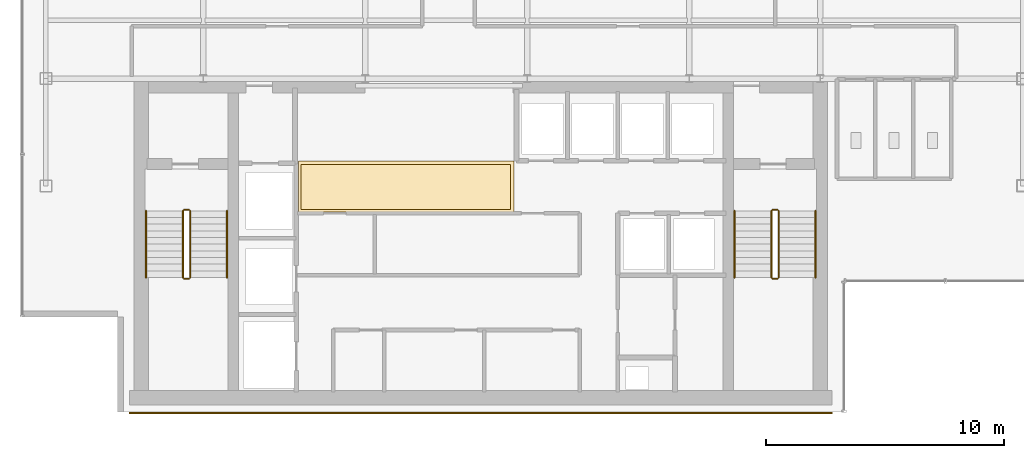
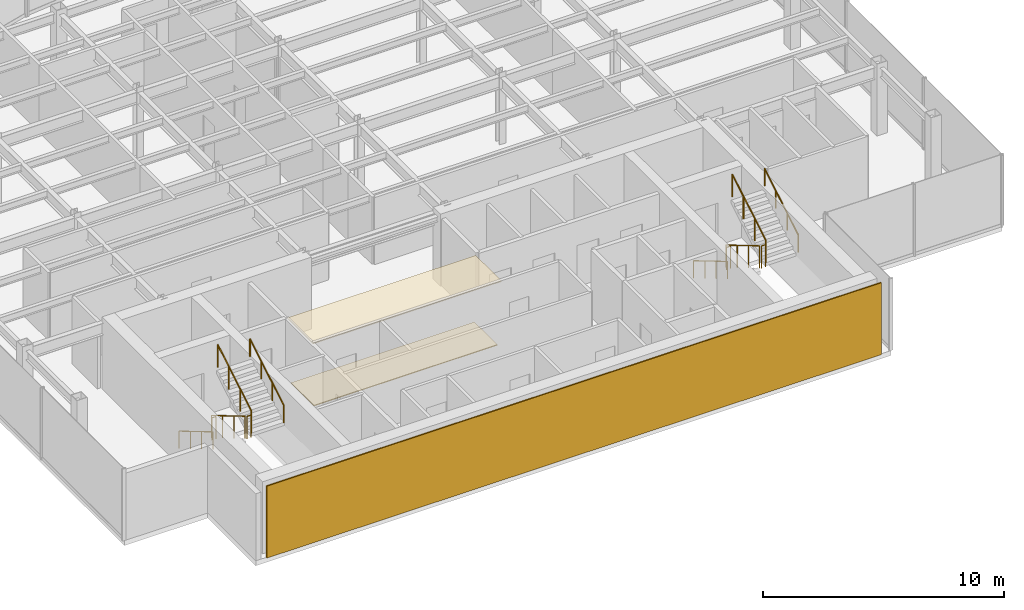
# One storey, part 20 of 22: 12 railings, 3 coverings.
"""IFC4 building model written with IfcOpenShell, lengths in metres."""

from ifc_helpers import new_model, si_unit, derived_unit, direction, frame, origin, origin_2d, place, context, subcontext, project, spatial, polyline, rectangle, circle, outline, extrude, source, transform, mapped, material, layer, layer_set, type_object, element, save


model = new_model("IFC4")

# Units and contexts
model_context = context("Model", 3, precision=1e-05, world=origin(), true_north=direction((0.0, 1.0)))
body_context = subcontext(model_context, "Body", "Model", "MODEL_VIEW")
ifc_project = project(units=[si_unit("LENGTHUNIT", "METRE"), si_unit("AREAUNIT", "SQUARE_METRE"), si_unit("VOLUMEUNIT", "CUBIC_METRE"), si_unit("PLANEANGLEUNIT", "RADIAN"), si_unit("MASSUNIT", "GRAM", prefix="KILO"), derived_unit("THERMALTRANSMITTANCEUNIT", [(si_unit("POWERUNIT", "WATT"), 1), (si_unit("LENGTHUNIT", "METRE"), -2), (si_unit("THERMODYNAMICTEMPERATUREUNIT", "KELVIN"), -1)])], contexts=[model_context])

# Site, building, storey
site_placement = place(None, origin())
site = spatial("IfcSite", under=ifc_project, at=site_placement, CompositionType="ELEMENT")
building_placement = place(site_placement, origin())
building = spatial("IfcBuilding", under=site, at=building_placement, Name="Skarnbrae Concourse Arena and Tower", CompositionType="ELEMENT")
storey_placement = place(building_placement, frame((0.0, 0.0, 206.85009765625)))
storey = spatial("IfcBuildingStorey", under=building, at=storey_placement, Name="L53", CompositionType="ELEMENT", Elevation=206.85009765625)

# Coverings
ifc_material_1 = material(Name="Mineral fibre acoustic ceiling tile", Category="other")
ifc_layer_1 = layer(ifc_material_1, 0.0400390625)
ifc_layer_set_1 = layer_set([ifc_layer_1], Name="Mineral fibre acoustic ceiling tile")
covering_type_1 = type_object("IfcCoveringType", Name="COV-CEIL-ACOUSTIC", PredefinedType="CEILING", material=ifc_layer_set_1)
covering_1_placement = place(storey_placement, frame((0.0, 0.0, 3.239990234375)))
element("IfcCovering", 1, at=covering_1_placement, inside=storey, type_object=covering_type_1, Name="L53 Lift lobby acoustic ceiling", PredefinedType="CEILING", context=body_context, shape_type="SweptSolid", body=[
    extrude(outline(polyline([(11.60009765625, 8.39990234375), (20.64990234375, 8.39990234375), (20.64990234375, 10.550048828125), (11.60009765625, 10.550048828125), (11.60009765625, 8.39990234375)])), origin(), (0.0, 0.0, 1.0), 0.039794921875),
])
ifc_material_2 = material(Name="Polished granite terrazzo flooring", Category="masonry")
ifc_layer_2 = layer(ifc_material_2, 0.0400390625)
ifc_layer_set_2 = layer_set([ifc_layer_2], Name="Polished granite terrazzo flooring")
covering_type_2 = type_object("IfcCoveringType", Name="COV-FLOOR-TERRAZZO", PredefinedType="FLOORING", material=ifc_layer_set_2)
covering_2_placement = place(storey_placement, origin())
element("IfcCovering", 2, at=covering_2_placement, inside=storey, type_object=covering_type_2, Name="L53 Lift lobby terrazzo flooring", PredefinedType="FLOORING", context=body_context, shape_type="SweptSolid", body=[
    extrude(outline(polyline([(11.699951171875, 8.5), (20.5, 8.5), (20.5, 10.39990234375), (11.699951171875, 10.39990234375), (11.699951171875, 8.5)])), origin(), (0.0, 0.0, 1.0), 0.039794921875),
])

# Railings
ifc_material_3 = material(Name="Steel CSA G40.21 350W", Category="steel")
railing_type_1 = type_object("IfcRailingType", Name="RAIL-HANDRAIL-900", PredefinedType="HANDRAIL", material=ifc_material_3)
railing_1_placement = place(storey_placement, frame((5.199951171875, 8.449951171875, 0.165771484375)))
element("IfcRailing", 3, at=railing_1_placement, inside=storey, type_object=railing_type_1, Name="L53 ST-1 stair handrail 1", PredefinedType="HANDRAIL", context=body_context, shape_type="SweptSolid", body=[
    extrude(circle(Radius=0.02392578125, at=origin_2d()), frame((0.0, 0.0, 0.8759765625), z_axis=(0.0, -0.860306154799, 0.50977771628), x_axis=(1.0, 0.0, 0.0)), (0.0, 0.0, 1.0), 3.254638671875),
    extrude(circle(Radius=0.02099609375, at=origin_2d()), origin(), (0.0, 0.0, 1.0), 0.851806640625),
    extrude(circle(Radius=0.02099609375, at=origin_2d()), frame((0.0, -0.933349609375, 0.552978515625)), (0.0, 0.0, 1.0), 0.851806640625),
    extrude(circle(Radius=0.02099609375, at=origin_2d()), frame((0.0, -1.86669921875, 1.106201171875)), (0.0, 0.0, 1.0), 0.851806640625),
    extrude(circle(Radius=0.02099609375, at=origin_2d()), frame((0.0, -2.800048828125, 1.6591796875)), (0.0, 0.0, 1.0), 0.851806640625),
])
railing_2_placement = place(storey_placement, frame((8.60009765625, 5.64990234375, 1.99072265625)))
element("IfcRailing", 4, at=railing_2_placement, inside=storey, type_object=railing_type_1, Name="L53 ST-1 stair handrail 2", PredefinedType="HANDRAIL", context=body_context, shape_type="SweptSolid", body=[
    extrude(circle(Radius=0.02392578125, at=origin_2d()), frame((0.0, 0.0, 0.8759765625), z_axis=(0.0, 0.860306154799, 0.50977771628), x_axis=(-1.0, 0.0, 0.0)), (0.0, 0.0, 1.0), 3.254638671875),
    extrude(circle(Radius=0.02099609375, at=origin_2d()), origin(), (0.0, 0.0, 1.0), 0.851806640625),
    extrude(circle(Radius=0.02099609375, at=origin_2d()), frame((0.0, 0.933349609375, 0.552978515625)), (0.0, 0.0, 1.0), 0.851806640625),
    extrude(circle(Radius=0.02099609375, at=origin_2d()), frame((0.0, 1.86669921875, 1.106201171875)), (0.0, 0.0, 1.0), 0.851806640625),
    extrude(circle(Radius=0.02099609375, at=origin_2d()), frame((0.0, 2.800048828125, 1.6591796875)), (0.0, 0.0, 1.0), 0.851806640625),
])
railing_3_placement = place(storey_placement, frame((29.89990234375, 8.449951171875, 0.165771484375)))
element("IfcRailing", 5, at=railing_3_placement, inside=storey, type_object=railing_type_1, Name="L53 ST-2 stair handrail 1", PredefinedType="HANDRAIL", context=body_context, shape_type="SweptSolid", body=[
    extrude(circle(Radius=0.02392578125, at=origin_2d()), frame((0.0, 0.0, 0.8759765625), z_axis=(0.0, -0.860306154799, 0.50977771628), x_axis=(1.0, 0.0, 0.0)), (0.0, 0.0, 1.0), 3.254638671875),
    extrude(circle(Radius=0.02099609375, at=origin_2d()), origin(), (0.0, 0.0, 1.0), 0.851806640625),
    extrude(circle(Radius=0.02099609375, at=origin_2d()), frame((0.0, -0.933349609375, 0.552978515625)), (0.0, 0.0, 1.0), 0.851806640625),
    extrude(circle(Radius=0.02099609375, at=origin_2d()), frame((0.0, -1.86669921875, 1.106201171875)), (0.0, 0.0, 1.0), 0.851806640625),
    extrude(circle(Radius=0.02099609375, at=origin_2d()), frame((0.0, -2.800048828125, 1.6591796875)), (0.0, 0.0, 1.0), 0.851806640625),
])
railing_4_placement = place(storey_placement, frame((33.300048828125, 5.64990234375, 1.99072265625)))
element("IfcRailing", 6, at=railing_4_placement, inside=storey, type_object=railing_type_1, Name="L53 ST-2 stair handrail 2", PredefinedType="HANDRAIL", context=body_context, shape_type="SweptSolid", body=[
    extrude(circle(Radius=0.02392578125, at=origin_2d()), frame((0.0, 0.0, 0.8759765625), z_axis=(0.0, 0.860306154799, 0.50977771628), x_axis=(-1.0, 0.0, 0.0)), (0.0, 0.0, 1.0), 3.254638671875),
    extrude(circle(Radius=0.02099609375, at=origin_2d()), origin(), (0.0, 0.0, 1.0), 0.851806640625),
    extrude(circle(Radius=0.02099609375, at=origin_2d()), frame((0.0, 0.933349609375, 0.552978515625)), (0.0, 0.0, 1.0), 0.851806640625),
    extrude(circle(Radius=0.02099609375, at=origin_2d()), frame((0.0, 1.86669921875, 1.106201171875)), (0.0, 0.0, 1.0), 0.851806640625),
    extrude(circle(Radius=0.02099609375, at=origin_2d()), frame((0.0, 2.800048828125, 1.6591796875)), (0.0, 0.0, 1.0), 0.851806640625),
])
railing_type_2 = type_object("IfcRailingType", Name="RAIL-STAIR-GUARD-1150", PredefinedType="GUARDRAIL", material=ifc_material_3)
railing_5_placement = place(storey_placement, frame((6.75, 8.449951171875, 0.165771484375)))
element("IfcRailing", 7, at=railing_5_placement, inside=storey, type_object=railing_type_2, Name="L53 ST-1 stair guard 1", PredefinedType="GUARDRAIL", context=body_context, shape_type="SweptSolid", body=[
    extrude(circle(Radius=0.02392578125, at=origin_2d()), frame((0.0, 0.0, 1.1259765625), z_axis=(0.0, -0.860306154799, 0.50977771628), x_axis=(1.0, 0.0, 0.0)), (0.0, 0.0, 1.0), 3.254638671875),
    extrude(circle(Radius=0.02099609375, at=origin_2d()), origin(), (0.0, 0.0, 1.0), 1.101806640625),
    extrude(circle(Radius=0.02099609375, at=origin_2d()), frame((0.0, -0.933349609375, 0.552978515625)), (0.0, 0.0, 1.0), 1.101806640625),
    extrude(circle(Radius=0.02099609375, at=origin_2d()), frame((0.0, -1.86669921875, 1.106201171875)), (0.0, 0.0, 1.0), 1.101806640625),
    extrude(circle(Radius=0.02099609375, at=origin_2d()), frame((0.0, -2.800048828125, 1.6591796875)), (0.0, 0.0, 1.0), 1.101806640625),
])
railing_6_placement = place(storey_placement, frame((6.800048828125, 5.60009765625, 1.824951171875)))
element("IfcRailing", 8, at=railing_6_placement, inside=storey, type_object=railing_type_2, Name="L53 ST-1 stair guard 2", PredefinedType="GUARDRAIL", context=body_context, shape_type="SweptSolid", body=[
    extrude(circle(Radius=0.02392578125, at=origin_2d()), frame((0.0, 0.0, 1.1259765625), z_axis=(1.0, 0.0, 0.0), x_axis=(0.0, 1.0, 0.0)), (0.0, 0.0, 1.0), 0.199951171875),
    extrude(circle(Radius=0.02099609375, at=origin_2d()), origin(), (0.0, 0.0, 1.0), 1.101806640625),
    extrude(circle(Radius=0.02099609375, at=origin_2d()), frame((0.199951171875, 0.0, 0.0)), (0.0, 0.0, 1.0), 1.101806640625),
])
railing_7_placement = place(storey_placement, frame((7.050048828125, 5.64990234375, 1.99072265625)))
element("IfcRailing", 9, at=railing_7_placement, inside=storey, type_object=railing_type_2, Name="L53 ST-1 stair guard 3", PredefinedType="GUARDRAIL", context=body_context, shape_type="SweptSolid", body=[
    extrude(circle(Radius=0.02392578125, at=origin_2d()), frame((0.0, 0.0, 1.1259765625), z_axis=(0.0, 0.860306154799, 0.50977771628), x_axis=(-1.0, 0.0, 0.0)), (0.0, 0.0, 1.0), 3.254638671875),
    extrude(circle(Radius=0.02099609375, at=origin_2d()), origin(), (0.0, 0.0, 1.0), 1.101806640625),
    extrude(circle(Radius=0.02099609375, at=origin_2d()), frame((0.0, 0.933349609375, 0.552978515625)), (0.0, 0.0, 1.0), 1.101806640625),
    extrude(circle(Radius=0.02099609375, at=origin_2d()), frame((0.0, 1.86669921875, 1.106201171875)), (0.0, 0.0, 1.0), 1.101806640625),
    extrude(circle(Radius=0.02099609375, at=origin_2d()), frame((0.0, 2.800048828125, 1.6591796875)), (0.0, 0.0, 1.0), 1.101806640625),
])
railing_8_placement = place(storey_placement, frame((6.800048828125, 8.5, 0.0)))
element("IfcRailing", 10, at=railing_8_placement, inside=storey, type_object=railing_type_2, Name="L53 ST-1 stair guard 4", PredefinedType="GUARDRAIL", context=body_context, shape_type="SweptSolid", body=[
    extrude(circle(Radius=0.02392578125, at=origin_2d()), frame((0.0, 0.0, 1.1259765625), z_axis=(1.0, 0.0, 0.0), x_axis=(0.0, 1.0, 0.0)), (0.0, 0.0, 1.0), 0.199951171875),
    extrude(circle(Radius=0.02099609375, at=origin_2d()), origin(), (0.0, 0.0, 1.0), 1.101806640625),
    extrude(circle(Radius=0.02099609375, at=origin_2d()), frame((0.199951171875, 0.0, 0.0)), (0.0, 0.0, 1.0), 1.101806640625),
])
railing_9_placement = place(storey_placement, frame((31.449951171875, 8.449951171875, 0.165771484375)))
element("IfcRailing", 11, at=railing_9_placement, inside=storey, type_object=railing_type_2, Name="L53 ST-2 stair guard 1", PredefinedType="GUARDRAIL", context=body_context, shape_type="SweptSolid", body=[
    extrude(circle(Radius=0.02392578125, at=origin_2d()), frame((0.0, 0.0, 1.1259765625), z_axis=(0.0, -0.860306154799, 0.50977771628), x_axis=(1.0, 0.0, 0.0)), (0.0, 0.0, 1.0), 3.254638671875),
    extrude(circle(Radius=0.02099609375, at=origin_2d()), origin(), (0.0, 0.0, 1.0), 1.101806640625),
    extrude(circle(Radius=0.02099609375, at=origin_2d()), frame((0.0, -0.933349609375, 0.552978515625)), (0.0, 0.0, 1.0), 1.101806640625),
    extrude(circle(Radius=0.02099609375, at=origin_2d()), frame((0.0, -1.86669921875, 1.106201171875)), (0.0, 0.0, 1.0), 1.101806640625),
    extrude(circle(Radius=0.02099609375, at=origin_2d()), frame((0.0, -2.800048828125, 1.6591796875)), (0.0, 0.0, 1.0), 1.101806640625),
])
railing_10_placement = place(storey_placement, frame((31.5, 5.60009765625, 1.824951171875)))
element("IfcRailing", 12, at=railing_10_placement, inside=storey, type_object=railing_type_2, Name="L53 ST-2 stair guard 2", PredefinedType="GUARDRAIL", context=body_context, shape_type="SweptSolid", body=[
    extrude(circle(Radius=0.02392578125, at=origin_2d()), frame((0.0, 0.0, 1.1259765625), z_axis=(1.0, 0.0, 0.0), x_axis=(0.0, 1.0, 0.0)), (0.0, 0.0, 1.0), 0.199951171875),
    extrude(circle(Radius=0.02099609375, at=origin_2d()), origin(), (0.0, 0.0, 1.0), 1.101806640625),
    extrude(circle(Radius=0.02099609375, at=origin_2d()), frame((0.199951171875, 0.0, 0.0)), (0.0, 0.0, 1.0), 1.101806640625),
])
railing_11_placement = place(storey_placement, frame((31.75, 5.64990234375, 1.99072265625)))
element("IfcRailing", 13, at=railing_11_placement, inside=storey, type_object=railing_type_2, Name="L53 ST-2 stair guard 3", PredefinedType="GUARDRAIL", context=body_context, shape_type="SweptSolid", body=[
    extrude(circle(Radius=0.02392578125, at=origin_2d()), frame((0.0, 0.0, 1.1259765625), z_axis=(0.0, 0.860306154799, 0.50977771628), x_axis=(-1.0, 0.0, 0.0)), (0.0, 0.0, 1.0), 3.254638671875),
    extrude(circle(Radius=0.02099609375, at=origin_2d()), origin(), (0.0, 0.0, 1.0), 1.101806640625),
    extrude(circle(Radius=0.02099609375, at=origin_2d()), frame((0.0, 0.933349609375, 0.552978515625)), (0.0, 0.0, 1.0), 1.101806640625),
    extrude(circle(Radius=0.02099609375, at=origin_2d()), frame((0.0, 1.86669921875, 1.106201171875)), (0.0, 0.0, 1.0), 1.101806640625),
    extrude(circle(Radius=0.02099609375, at=origin_2d()), frame((0.0, 2.800048828125, 1.6591796875)), (0.0, 0.0, 1.0), 1.101806640625),
])
railing_12_placement = place(storey_placement, frame((31.5, 8.5, 0.0)))
element("IfcRailing", 14, at=railing_12_placement, inside=storey, type_object=railing_type_2, Name="L53 ST-2 stair guard 4", PredefinedType="GUARDRAIL", context=body_context, shape_type="SweptSolid", body=[
    extrude(circle(Radius=0.02392578125, at=origin_2d()), frame((0.0, 0.0, 1.1259765625), z_axis=(1.0, 0.0, 0.0), x_axis=(0.0, 1.0, 0.0)), (0.0, 0.0, 1.0), 0.199951171875),
    extrude(circle(Radius=0.02099609375, at=origin_2d()), origin(), (0.0, 0.0, 1.0), 1.101806640625),
    extrude(circle(Radius=0.02099609375, at=origin_2d()), frame((0.199951171875, 0.0, 0.0)), (0.0, 0.0, 1.0), 1.101806640625),
])

# Covering
ifc_material_4 = material(Name="Bronze anodised aluminium 6063-T6", Category="aluminium")
ifc_layer_3 = layer(ifc_material_4, 0.06005859375)
ifc_layer_set_3 = layer_set([ifc_layer_3], Name="Bronze anodised aluminium 6063-T6")
covering_type_3 = type_object("IfcCoveringType", Name="COV-CLAD-BRONZE-60", PredefinedType="CLADDING", material=ifc_layer_set_3)
shared_shape = source(origin(), body_context, "Body", "SweptSolid", [
    extrude(rectangle(XDim=29.5, YDim=0.06005859375, at=origin_2d()), origin(), (0.0, 0.0, 1.0), 3.64990234375),
])
covering_3_placement = place(storey_placement, frame((19.25, -0.030029296875, 0.0), z_axis=(0.0, 0.0, 1.0), x_axis=(1.0, 0.0, 0.0)))
element("IfcCovering", 15, at=covering_3_placement, inside=storey, type_object=covering_type_3, Name="L53 Rear-core plumb spine bronze rainscreen panel", PredefinedType="CLADDING", context=body_context, shape_type="MappedRepresentation", body=[
    mapped(shared_shape, transform((0.0, 0.0, 0.0))),
])

save(model, "model.ifc")
